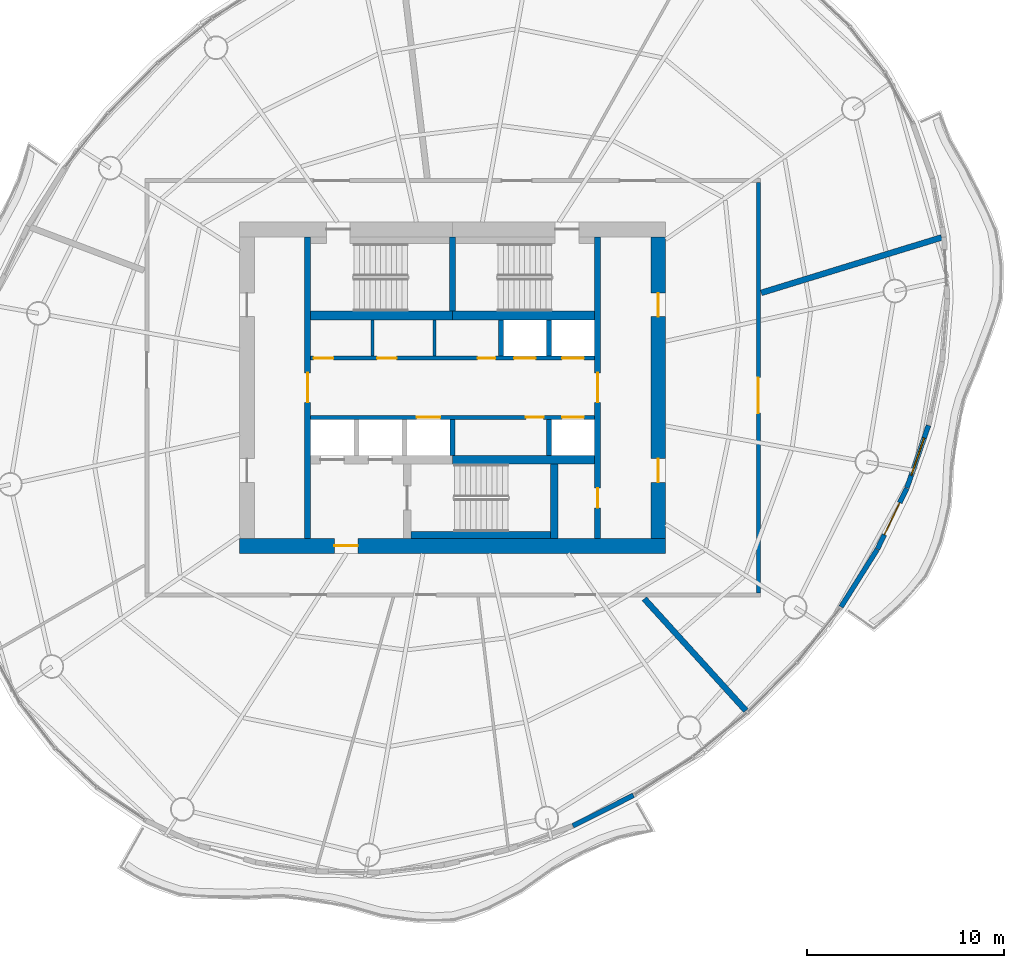
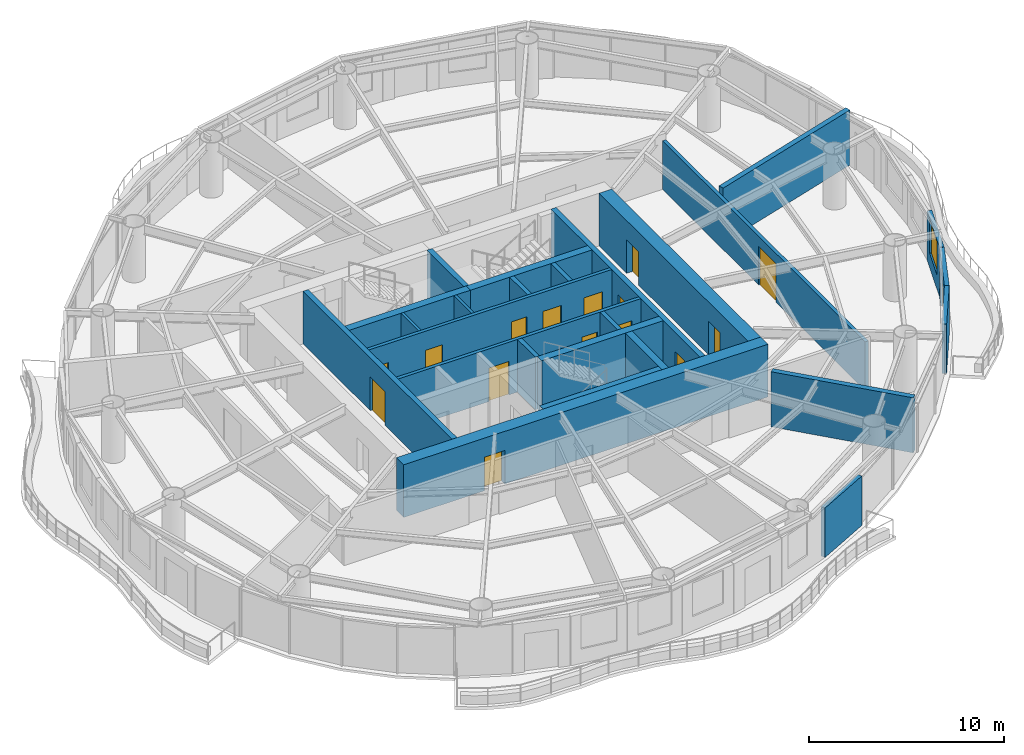
# One storey, part 9 of 14: 25 walls, 16 doors, 1 window, 17 openings.
"""IFC4 building model written with IfcOpenShell, lengths in metres."""

from ifc_helpers import new_model, si_unit, direction, frame, frame_2d, origin, place, context, subcontext, project, spatial, rectangle, extrude, material, layer, layer_set, type_object, element, fill, save


model = new_model("IFC4")

# Units and contexts
model_context = context("Model", 3, precision=1e-05, world=origin(), true_north=direction((0.0, 1.0)))
body_context = subcontext(model_context, "Body", "Model", "MODEL_VIEW")
ifc_project = project(units=[si_unit("LENGTHUNIT", "METRE"), si_unit("AREAUNIT", "SQUARE_METRE"), si_unit("VOLUMEUNIT", "CUBIC_METRE"), si_unit("PLANEANGLEUNIT", "RADIAN"), si_unit("MASSUNIT", "GRAM", prefix="KILO")], contexts=[model_context])

# Site, building, storey
site_placement = place(None, origin())
site = spatial("IfcSite", under=ifc_project, at=site_placement, CompositionType="ELEMENT")
building_placement = place(site_placement, origin())
building = spatial("IfcBuilding", under=site, at=building_placement, Name="Vermilion Reach Broadcast Tower", CompositionType="ELEMENT")
storey_placement = place(building_placement, frame((0.0, 0.0, 202.89990234375)))
storey = spatial("IfcBuildingStorey", under=building, at=storey_placement, Name="L49", CompositionType="ELEMENT", Elevation=202.89990234375)

# Wall, opening, door
ifc_material_1 = material(Name="Concrete C60", Category="concrete")
ifc_layer_1 = layer(ifc_material_1, 0.300048828125)
ifc_layer_set_1 = layer_set([ifc_layer_1], Name="Core inner wall 300 mm Concrete C60")
wall_type_1 = type_object("IfcWallType", Name="Core inner wall 300 mm Concrete C60", PredefinedType="SHEAR", material=ifc_layer_set_1)
wall_1_placement = place(storey_placement, frame((-13.35009765625, 7.64990234375, 0.0), z_axis=(0.0, 0.0, 1.0), x_axis=(0.0, -1.0, 0.0)))
wall_1 = element("IfcWall", 1, at=wall_1_placement, inside=storey, type_object=wall_type_1, Name="L49 core wall ewW", PredefinedType="SHEAR", context=body_context, shape_type="SweptSolid", body=[
    extrude(rectangle(XDim=15.2998046875, YDim=0.300048828125, at=frame_2d((7.64990234375, 0.0))), origin(), (0.0, 0.0, 1.0), 3.300048828125),
])
opening_1_placement = place(wall_1_placement, frame((6.89990234375, 0.0, 0.0)))
opening_1 = element("IfcOpeningElement", 2, at=opening_1_placement, cuts=wall_1, Name="Opening D04", PredefinedType="OPENING", context=body_context, shape_type="SweptSolid", body=[
    extrude(rectangle(XDim=1.5, YDim=2.10009765625, at=frame_2d((0.75, 1.050048828125))), frame((0.0, 0.159912109375, 0.0), z_axis=(0.0, -1.0, 0.0), x_axis=(1.0, 0.0, 0.0)), (0.0, 0.0, 1.0), 0.320068359375),
])
ifc_material_2 = material(Name="Painted steel fire door", Category="steel")
door_type_1 = type_object("IfcDoorType", Name="Lift lobby door 1500 x 2100", OperationType="DOUBLE_DOOR_SINGLE_SWING", PredefinedType="NOTDEFINED", material=ifc_material_2)
door_1_placement = place(opening_1_placement, origin())
door_1 = element("IfcDoor", 3, at=door_1_placement, inside=storey, type_object=door_type_1, Name="L49 band door BW", OperationType="DOUBLE_DOOR_SINGLE_SWING", OverallHeight=2.10009765625, OverallWidth=1.5, PredefinedType="NOTDEFINED", context=body_context, shape_type="SweptSolid", body=[
    extrude(rectangle(XDim=1.5, YDim=2.10009765625, at=frame_2d((0.75, 1.050048828125))), frame((0.0, 0.02490234375, 0.0), z_axis=(0.0, -1.0, 0.0), x_axis=(1.0, 0.0, 0.0)), (0.0, 0.0, 1.0), 0.050048828125),
])
fill(opening_1, door_1)

# Wall, openings, doors
wall_2_placement = place(storey_placement, frame((1.35009765625, -7.64990234375, 0.0), z_axis=(0.0, 0.0, 1.0), x_axis=(0.0, 1.0, 0.0)))
wall_2 = element("IfcWall", 4, at=wall_2_placement, inside=storey, type_object=wall_type_1, Name="L49 core wall ewE", PredefinedType="SHEAR", context=body_context, shape_type="SweptSolid", body=[
    extrude(rectangle(XDim=15.2998046875, YDim=0.300048828125, at=frame_2d((7.64990234375, 0.0))), origin(), (0.0, 0.0, 1.0), 3.300048828125),
])
opening_2_placement = place(wall_2_placement, frame((1.56005859375, 0.0, 0.0)))
opening_2 = element("IfcOpeningElement", 5, at=opening_2_placement, cuts=wall_2, Name="Opening D05", PredefinedType="OPENING", context=body_context, shape_type="SweptSolid", body=[
    extrude(rectangle(XDim=1.0, YDim=2.10009765625, at=frame_2d((0.5, 1.050048828125))), frame((0.0, 0.159912109375, 0.0), z_axis=(0.0, -1.0, 0.0), x_axis=(1.0, 0.0, 0.0)), (0.0, 0.0, 1.0), 0.320068359375),
])
opening_3_placement = place(wall_2_placement, frame((6.89990234375, 0.0, 0.0)))
opening_3 = element("IfcOpeningElement", 6, at=opening_3_placement, cuts=wall_2, Name="Opening D04", PredefinedType="OPENING", context=body_context, shape_type="SweptSolid", body=[
    extrude(rectangle(XDim=1.5, YDim=2.10009765625, at=frame_2d((0.75, 1.050048828125))), frame((0.0, 0.159912109375, 0.0), z_axis=(0.0, -1.0, 0.0), x_axis=(1.0, 0.0, 0.0)), (0.0, 0.0, 1.0), 0.320068359375),
])
door_2_placement = place(opening_3_placement, origin())
door_2 = element("IfcDoor", 7, at=door_2_placement, inside=storey, type_object=door_type_1, Name="L49 band door BE", OperationType="DOUBLE_DOOR_SINGLE_SWING", OverallHeight=2.10009765625, OverallWidth=1.5, PredefinedType="NOTDEFINED", context=body_context, shape_type="SweptSolid", body=[
    extrude(rectangle(XDim=1.5, YDim=2.10009765625, at=frame_2d((0.75, 1.050048828125))), frame((0.0, 0.02490234375, 0.0), z_axis=(0.0, -1.0, 0.0), x_axis=(1.0, 0.0, 0.0)), (0.0, 0.0, 1.0), 0.050048828125),
])
fill(opening_3, door_2)
ifc_material_3 = material(Name="Timber door", Category="wood")
door_type_2 = type_object("IfcDoorType", Name="Room door 1000 x 2100", OperationType="NOTDEFINED", PredefinedType="NOTDEFINED", material=ifc_material_3)
door_3_placement = place(opening_2_placement, origin())
door_3 = element("IfcDoor", 8, at=door_3_placement, inside=storey, type_object=door_type_2, Name="L49 door SER", OperationType="SINGLE_SWING_LEFT", OverallHeight=2.10009765625, OverallWidth=1.0, PredefinedType="NOTDEFINED", context=body_context, shape_type="SweptSolid", body=[
    extrude(rectangle(XDim=1.0, YDim=2.10009765625, at=frame_2d((0.5, 1.050048828125))), frame((0.0, 0.02490234375, 0.0), z_axis=(0.0, -1.0, 0.0), x_axis=(1.0, 0.0, 0.0)), (0.0, 0.0, 1.0), 0.050048828125),
])
fill(opening_2, door_3)

# Walls
wall_3_placement = place(storey_placement, frame((-6.0, 3.8798828125, 0.0), z_axis=(0.0, 0.0, 1.0), x_axis=(0.0, 1.0, 0.0)))
element("IfcWall", 9, at=wall_3_placement, inside=storey, type_object=wall_type_1, Name="L49 core wall wc", PredefinedType="SHEAR", context=body_context, shape_type="SweptSolid", body=[
    extrude(rectangle(XDim=3.77001953125, YDim=0.300048828125, at=frame_2d((1.885009765625, 0.0))), origin(), (0.0, 0.0, 1.0), 3.300048828125),
])
ifc_material_4 = material(Name="Concrete C60", Category="concrete")
ifc_layer_2 = layer(ifc_material_4, 0.39990234375)
ifc_layer_set_2 = layer_set([ifc_layer_2], Name="Core inner wall 400 mm Concrete C60")
wall_type_2 = type_object("IfcWallType", Name="Core inner wall 400 mm Concrete C60", PredefinedType="SHEAR", material=ifc_layer_set_2)
wall_4_placement = place(storey_placement, frame((-0.85009765625, -3.8798828125, 0.0), z_axis=(0.0, 0.0, 1.0), x_axis=(0.0, -1.0, 0.0)))
element("IfcWall", 10, at=wall_4_placement, inside=storey, type_object=wall_type_2, Name="L49 core wall wb", PredefinedType="SHEAR", context=body_context, shape_type="SweptSolid", body=[
    extrude(rectangle(XDim=3.77001953125, YDim=0.39990234375, at=frame_2d((1.885009765625, 0.0))), origin(), (0.0, 0.0, 1.0), 3.300048828125),
])
ifc_material_5 = material(Name="Concrete C60", Category="concrete")
ifc_layer_3 = layer(ifc_material_5, 0.449951171875)
ifc_layer_set_3 = layer_set([ifc_layer_3], Name="Core inner wall 450 mm Concrete C60")
wall_type_3 = type_object("IfcWallType", Name="Core inner wall 450 mm Concrete C60", PredefinedType="SHEAR", material=ifc_layer_set_3)
for number, where, z_axis, x_axis, name in (
    (11, (-13.199951171875, 3.655029296875, 0.0), (0.0, 0.0, 1.0), (1.0, 0.0, 0.0), "L49 core wall winW"),
    (12, (-6.0, 3.655029296875, 0.0), (0.0, 0.0, 1.0), (1.0, 0.0, 0.0), "L49 core wall winE"),
    (13, (-6.0, -3.655029296875, 0.0), (0.0, 0.0, 1.0), (1.0, 0.0, 0.0), "L49 core wall wisE"),
):
    element("IfcWall", number, at=place(storey_placement, frame(where, z_axis=z_axis, x_axis=x_axis)), inside=storey, type_object=wall_type_3, Name=name, PredefinedType="SHEAR", context=body_context, shape_type="SweptSolid", body=[
        extrude(rectangle(XDim=7.199951171875, YDim=0.449951171875, at=frame_2d((3.60009765625, 0.0))), origin(), (0.0, 0.0, 1.0), 3.300048828125),
    ])

# Wall, opening, door
ifc_material_6 = material(Name="Concrete C60", Category="concrete")
ifc_layer_4 = layer(ifc_material_6, 0.75)
ifc_layer_set_4 = layer_set([ifc_layer_4], Name="Core outer wall 750 mm Concrete C60")
wall_type_4 = type_object("IfcWallType", Name="Core outer wall 750 mm Concrete C60", PredefinedType="SHEAR", material=ifc_layer_set_4)
wall_5_placement = place(storey_placement, frame((-16.800048828125, -8.02490234375, 0.0), z_axis=(0.0, 0.0, 1.0), x_axis=(1.0, 0.0, 0.0)))
wall_5 = element("IfcWall", 14, at=wall_5_placement, inside=storey, type_object=wall_type_4, Name="L49 core wall os", PredefinedType="SHEAR", context=body_context, shape_type="SweptSolid", body=[
    extrude(rectangle(XDim=21.60009765625, YDim=0.75, at=frame_2d((10.800048828125, 0.0))), origin(), (0.0, 0.0, 1.0), 3.300048828125),
])
opening_4_placement = place(wall_5_placement, frame((4.800048828125, 0.0, 0.0)))
opening_4 = element("IfcOpeningElement", 15, at=opening_4_placement, cuts=wall_5, Name="Opening D02", PredefinedType="OPENING", context=body_context, shape_type="SweptSolid", body=[
    extrude(rectangle(XDim=1.199951171875, YDim=2.10009765625, at=frame_2d((0.60009765625, 1.050048828125))), frame((0.0, 0.385009765625, 0.0), z_axis=(0.0, -1.0, 0.0), x_axis=(1.0, 0.0, 0.0)), (0.0, 0.0, 1.0), 0.77001953125),
])
ifc_material_7 = material(Name="Painted steel fire door", Category="steel")
door_type_3 = type_object("IfcDoorType", Name="Firefighting lobby door 1200 x 2100", OperationType="DOUBLE_DOOR_SINGLE_SWING", PredefinedType="NOTDEFINED", material=ifc_material_7)
door_4_placement = place(opening_4_placement, origin())
door_4 = element("IfcDoor", 16, at=door_4_placement, inside=storey, type_object=door_type_3, Name="L49 ffdoor door FFL", OperationType="DOUBLE_DOOR_SINGLE_SWING", OverallHeight=2.10009765625, OverallWidth=1.199951171875, PredefinedType="NOTDEFINED", context=body_context, shape_type="SweptSolid", body=[
    extrude(rectangle(XDim=1.199951171875, YDim=2.10009765625, at=frame_2d((0.60009765625, 1.050048828125))), frame((0.0, 0.02490234375, 0.0), z_axis=(0.0, -1.0, 0.0), x_axis=(1.0, 0.0, 0.0)), (0.0, 0.0, 1.0), 0.050048828125),
])
fill(opening_4, door_4)

# Wall, openings, doors
wall_6_placement = place(storey_placement, frame((4.425048828125, -7.64990234375, 0.0), z_axis=(0.0, 0.0, 1.0), x_axis=(0.0, 1.0, 0.0)))
wall_6 = element("IfcWall", 17, at=wall_6_placement, inside=storey, type_object=wall_type_4, Name="L49 core wall oe", PredefinedType="SHEAR", context=body_context, shape_type="SweptSolid", body=[
    extrude(rectangle(XDim=15.2998046875, YDim=0.75, at=frame_2d((7.64990234375, 0.0))), origin(), (0.0, 0.0, 1.0), 3.300048828125),
])
opening_5_placement = place(wall_6_placement, frame((2.85009765625, 0.0, 0.0)))
opening_5 = element("IfcOpeningElement", 18, at=opening_5_placement, cuts=wall_6, Name="Opening D03", PredefinedType="OPENING", context=body_context, shape_type="SweptSolid", body=[
    extrude(rectangle(XDim=1.199951171875, YDim=2.10009765625, at=frame_2d((0.60009765625, 1.050048828125))), frame((0.0, 0.385009765625, 0.0), z_axis=(0.0, -1.0, 0.0), x_axis=(1.0, 0.0, 0.0)), (0.0, 0.0, 1.0), 0.77001953125),
])
opening_6_placement = place(wall_6_placement, frame((11.25, 0.0, 0.0)))
opening_6 = element("IfcOpeningElement", 19, at=opening_6_placement, cuts=wall_6, Name="Opening D03", PredefinedType="OPENING", context=body_context, shape_type="SweptSolid", body=[
    extrude(rectangle(XDim=1.199951171875, YDim=2.10009765625, at=frame_2d((0.60009765625, 1.050048828125))), frame((0.0, 0.385009765625, 0.0), z_axis=(0.0, -1.0, 0.0), x_axis=(1.0, 0.0, 0.0)), (0.0, 0.0, 1.0), 0.77001953125),
])
ifc_material_8 = material(Name="Painted steel fire door", Category="steel")
door_type_4 = type_object("IfcDoorType", Name="Core lobby door 1200 x 2100", OperationType="DOUBLE_DOOR_SINGLE_SWING", PredefinedType="NOTDEFINED", material=ifc_material_8)
door_5_placement = place(opening_5_placement, origin())
door_5 = element("IfcDoor", 20, at=door_5_placement, inside=storey, type_object=door_type_4, Name="L49 slot door E0", OperationType="DOUBLE_DOOR_SINGLE_SWING", OverallHeight=2.10009765625, OverallWidth=1.199951171875, PredefinedType="NOTDEFINED", context=body_context, shape_type="SweptSolid", body=[
    extrude(rectangle(XDim=1.199951171875, YDim=2.10009765625, at=frame_2d((0.60009765625, 1.050048828125))), frame((0.0, 0.02490234375, 0.0), z_axis=(0.0, -1.0, 0.0), x_axis=(1.0, 0.0, 0.0)), (0.0, 0.0, 1.0), 0.050048828125),
])
fill(opening_5, door_5)
door_6_placement = place(opening_6_placement, origin())
door_6 = element("IfcDoor", 21, at=door_6_placement, inside=storey, type_object=door_type_4, Name="L49 slot door E1", OperationType="DOUBLE_DOOR_SINGLE_SWING", OverallHeight=2.10009765625, OverallWidth=1.199951171875, PredefinedType="NOTDEFINED", context=body_context, shape_type="SweptSolid", body=[
    extrude(rectangle(XDim=1.199951171875, YDim=2.10009765625, at=frame_2d((0.60009765625, 1.050048828125))), frame((0.0, 0.02490234375, 0.0), z_axis=(0.0, -1.0, 0.0), x_axis=(1.0, 0.0, 0.0)), (0.0, 0.0, 1.0), 0.050048828125),
])
fill(opening_6, door_6)

# Walls
ifc_material_9 = material(Name="Masonry block", Category="masonry")
ifc_layer_5 = layer(ifc_material_9, 0.14990234375)
ifc_layer_set_5 = layer_set([ifc_layer_5], Name="Core partition wall 150 mm Masonry block")
wall_type_5 = type_object("IfcWallType", Name="Core partition wall 150 mm Masonry block", PredefinedType="PARTITIONING", material=ifc_layer_set_5)
for number, where, z_axis, x_axis, name in (
    (22, (-10.0595703125, 1.60009765625, 0.0), (0.0, 0.0, 1.0), (0.0, 1.0, 0.0), "L49 core wall prN-4060"),
    (23, (-6.9189453125, 1.60009765625, 0.0), (0.0, 0.0, 1.0), (0.0, 1.0, 0.0), "L49 core wall prN-919"),
):
    element("IfcWall", number, at=place(storey_placement, frame(where, z_axis=z_axis, x_axis=x_axis)), inside=storey, type_object=wall_type_5, Name=name, PredefinedType="PARTITIONING", context=body_context, shape_type="SweptSolid", body=[
        extrude(rectangle(XDim=1.829833984375, YDim=0.14990234375, at=frame_2d((0.9150390625, 0.0))), origin(), (0.0, 0.0, 1.0), 3.300048828125),
    ])

# Wall, openings, doors
ifc_material_10 = material(Name="Concrete C50", Category="concrete")
ifc_layer_6 = layer(ifc_material_10, 0.199951171875)
ifc_layer_set_6 = layer_set([ifc_layer_6], Name="Core shaft wall 200 mm Concrete C50")
wall_type_6 = type_object("IfcWallType", Name="Core shaft wall 200 mm Concrete C50", PredefinedType="SHEAR", material=ifc_layer_set_6)
wall_7_placement = place(storey_placement, frame((-13.199951171875, 1.5, 0.0), z_axis=(0.0, 0.0, 1.0), x_axis=(1.0, 0.0, 0.0)))
wall_7 = element("IfcWall", 24, at=wall_7_placement, inside=storey, type_object=wall_type_6, Name="L49 core wall fn", PredefinedType="SHEAR", context=body_context, shape_type="SweptSolid", body=[
    extrude(rectangle(XDim=14.39990234375, YDim=0.199951171875, at=frame_2d((7.199951171875, 0.0))), origin(), (0.0, 0.0, 1.0), 3.300048828125),
])
opening_7_placement = place(wall_7_placement, frame((10.3125, 0.0, 0.0)))
opening_7 = element("IfcOpeningElement", 25, at=opening_7_placement, cuts=wall_7, Name="Opening LD2", PredefinedType="OPENING", context=body_context, shape_type="SweptSolid", body=[
    extrude(rectangle(XDim=1.10009765625, YDim=2.10009765625, at=frame_2d((0.550048828125, 1.050048828125))), frame((0.0, 0.10986328125, 0.0), z_axis=(0.0, -1.0, 0.0), x_axis=(1.0, 0.0, 0.0)), (0.0, 0.0, 1.0), 0.219970703125),
])
opening_8_placement = place(wall_7_placement, frame((12.754150390625, 0.0, 0.0)))
opening_8 = element("IfcOpeningElement", 26, at=opening_8_placement, cuts=wall_7, Name="Opening LD2", PredefinedType="OPENING", context=body_context, shape_type="SweptSolid", body=[
    extrude(rectangle(XDim=1.10009765625, YDim=2.10009765625, at=frame_2d((0.550048828125, 1.050048828125))), frame((0.0, 0.10986328125, 0.0), z_axis=(0.0, -1.0, 0.0), x_axis=(1.0, 0.0, 0.0)), (0.0, 0.0, 1.0), 0.219970703125),
])
opening_9_placement = place(wall_7_placement, frame((0.14990234375, 0.0, 0.0)))
opening_9 = element("IfcOpeningElement", 27, at=opening_9_placement, cuts=wall_7, Name="Opening D07", PredefinedType="OPENING", context=body_context, shape_type="SweptSolid", body=[
    extrude(rectangle(XDim=1.0, YDim=2.10009765625, at=frame_2d((0.5, 1.050048828125))), frame((0.0, 0.10986328125, 0.0), z_axis=(0.0, -1.0, 0.0), x_axis=(1.0, 0.0, 0.0)), (0.0, 0.0, 1.0), 0.219970703125),
])
opening_10_placement = place(wall_7_placement, frame((3.365478515625, 0.0, 0.0)))
opening_10 = element("IfcOpeningElement", 28, at=opening_10_placement, cuts=wall_7, Name="Opening D10", PredefinedType="OPENING", context=body_context, shape_type="SweptSolid", body=[
    extrude(rectangle(XDim=1.0, YDim=2.10009765625, at=frame_2d((0.5, 1.050048828125))), frame((0.0, 0.10986328125, 0.0), z_axis=(0.0, -1.0, 0.0), x_axis=(1.0, 0.0, 0.0)), (0.0, 0.0, 1.0), 0.219970703125),
])
opening_11_placement = place(wall_7_placement, frame((8.466552734375, 0.0, 0.0)))
opening_11 = element("IfcOpeningElement", 29, at=opening_11_placement, cuts=wall_7, Name="Opening D06", PredefinedType="OPENING", context=body_context, shape_type="SweptSolid", body=[
    extrude(rectangle(XDim=0.89990234375, YDim=2.10009765625, at=frame_2d((0.449951171875, 1.050048828125))), frame((0.0, 0.10986328125, 0.0), z_axis=(0.0, -1.0, 0.0), x_axis=(1.0, 0.0, 0.0)), (0.0, 0.0, 1.0), 0.219970703125),
])
ifc_material_11 = material(Name="Timber door", Category="wood")
door_type_5 = type_object("IfcDoorType", Name="Accessible WC door 1000 x 2100", OperationType="NOTDEFINED", PredefinedType="NOTDEFINED", material=ifc_material_11)
door_7_placement = place(opening_9_placement, origin())
door_7 = element("IfcDoor", 30, at=door_7_placement, inside=storey, type_object=door_type_5, Name="L49 door Accessible WC", OperationType="SINGLE_SWING_LEFT", OverallHeight=2.10009765625, OverallWidth=1.0, PredefinedType="NOTDEFINED", context=body_context, shape_type="SweptSolid", body=[
    extrude(rectangle(XDim=1.0, YDim=2.10009765625, at=frame_2d((0.5, 1.050048828125))), frame((0.0, 0.02490234375, 0.0), z_axis=(0.0, -1.0, 0.0), x_axis=(1.0, 0.0, 0.0)), (0.0, 0.0, 1.0), 0.050048828125),
])
fill(opening_9, door_7)
ifc_material_12 = material(Name="Stainless steel", Category="steel")
door_type_6 = type_object("IfcDoorType", Name="Landing door 1100 x 2100", OperationType="DOUBLE_DOOR_SLIDING", PredefinedType="NOTDEFINED", material=ifc_material_12)
door_8_placement = place(opening_7_placement, origin())
door_8 = element("IfcDoor", 31, at=door_8_placement, inside=storey, type_object=door_type_6, Name="L49 landing door HR1", OperationType="DOUBLE_DOOR_SLIDING", OverallHeight=2.10009765625, OverallWidth=1.10009765625, PredefinedType="NOTDEFINED", context=body_context, shape_type="SweptSolid", body=[
    extrude(rectangle(XDim=1.10009765625, YDim=2.10009765625, at=frame_2d((0.550048828125, 1.050048828125))), frame((0.0, 0.02490234375, 0.0), z_axis=(0.0, -1.0, 0.0), x_axis=(1.0, 0.0, 0.0)), (0.0, 0.0, 1.0), 0.050048828125),
])
fill(opening_7, door_8)
door_9_placement = place(opening_8_placement, origin())
door_9 = element("IfcDoor", 32, at=door_9_placement, inside=storey, type_object=door_type_6, Name="L49 landing door HR2", OperationType="DOUBLE_DOOR_SLIDING", OverallHeight=2.10009765625, OverallWidth=1.10009765625, PredefinedType="NOTDEFINED", context=body_context, shape_type="SweptSolid", body=[
    extrude(rectangle(XDim=1.10009765625, YDim=2.10009765625, at=frame_2d((0.550048828125, 1.050048828125))), frame((0.0, 0.02490234375, 0.0), z_axis=(0.0, -1.0, 0.0), x_axis=(1.0, 0.0, 0.0)), (0.0, 0.0, 1.0), 0.050048828125),
])
fill(opening_8, door_9)
ifc_material_13 = material(Name="Timber door", Category="wood")
door_type_7 = type_object("IfcDoorType", Name="WC door 900 x 2100", OperationType="NOTDEFINED", PredefinedType="NOTDEFINED", material=ifc_material_13)
door_10_placement = place(opening_11_placement, origin())
door_10 = element("IfcDoor", 33, at=door_10_placement, inside=storey, type_object=door_type_7, Name="L49 door Male WC", OperationType="SINGLE_SWING_RIGHT", OverallHeight=2.10009765625, OverallWidth=0.89990234375, PredefinedType="NOTDEFINED", context=body_context, shape_type="SweptSolid", body=[
    extrude(rectangle(XDim=0.89990234375, YDim=2.10009765625, at=frame_2d((0.449951171875, 1.050048828125))), frame((0.0, 0.02490234375, 0.0), z_axis=(0.0, -1.0, 0.0), x_axis=(1.0, 0.0, 0.0)), (0.0, 0.0, 1.0), 0.050048828125),
])
fill(opening_11, door_10)
ifc_material_14 = material(Name="Timber door", Category="wood")
door_type_8 = type_object("IfcDoorType", Name="WC lobby door 1000 x 2100", OperationType="NOTDEFINED", PredefinedType="NOTDEFINED", material=ifc_material_14)
door_11_placement = place(opening_10_placement, origin())
door_11 = element("IfcDoor", 34, at=door_11_placement, inside=storey, type_object=door_type_8, Name="L49 door WC lobby", OperationType="SINGLE_SWING_LEFT", OverallHeight=2.10009765625, OverallWidth=1.0, PredefinedType="NOTDEFINED", context=body_context, shape_type="SweptSolid", body=[
    extrude(rectangle(XDim=1.0, YDim=2.10009765625, at=frame_2d((0.5, 1.050048828125))), frame((0.0, 0.02490234375, 0.0), z_axis=(0.0, -1.0, 0.0), x_axis=(1.0, 0.0, 0.0)), (0.0, 0.0, 1.0), 0.050048828125),
])
fill(opening_10, door_11)

wall_8_placement = place(storey_placement, frame((1.199951171875, -1.5, 0.0), z_axis=(0.0, 0.0, 1.0), x_axis=(-1.0, 0.0, 0.0)))
wall_8 = element("IfcWall", 35, at=wall_8_placement, inside=storey, type_object=wall_type_6, Name="L49 core wall fs", PredefinedType="SHEAR", context=body_context, shape_type="SweptSolid", body=[
    extrude(rectangle(XDim=14.39990234375, YDim=0.199951171875, at=frame_2d((7.199951171875, 0.0))), origin(), (0.0, 0.0, 1.0), 3.300048828125),
])
opening_12_placement = place(wall_8_placement, frame((7.82080078125, 0.0, 0.0)))
opening_12 = element("IfcOpeningElement", 36, at=opening_12_placement, cuts=wall_8, Name="Opening LD1", PredefinedType="OPENING", context=body_context, shape_type="SweptSolid", body=[
    extrude(rectangle(XDim=1.199951171875, YDim=2.10009765625, at=frame_2d((0.60009765625, 1.050048828125))), frame((0.0, 0.10986328125, 0.0), z_axis=(0.0, -1.0, 0.0), x_axis=(1.0, 0.0, 0.0)), (0.0, 0.0, 1.0), 0.219970703125),
])
opening_13_placement = place(wall_8_placement, frame((0.5458984375, 0.0, 0.0)))
opening_13 = element("IfcOpeningElement", 37, at=opening_13_placement, cuts=wall_8, Name="Opening LD2", PredefinedType="OPENING", context=body_context, shape_type="SweptSolid", body=[
    extrude(rectangle(XDim=1.10009765625, YDim=2.10009765625, at=frame_2d((0.550048828125, 1.050048828125))), frame((0.0, 0.10986328125, 0.0), z_axis=(0.0, -1.0, 0.0), x_axis=(1.0, 0.0, 0.0)), (0.0, 0.0, 1.0), 0.219970703125),
])
opening_14_placement = place(wall_8_placement, frame((2.591552734375, 0.0, 0.0)))
opening_14 = element("IfcOpeningElement", 38, at=opening_14_placement, cuts=wall_8, Name="Opening D06", PredefinedType="OPENING", context=body_context, shape_type="SweptSolid", body=[
    extrude(rectangle(XDim=0.89990234375, YDim=2.10009765625, at=frame_2d((0.449951171875, 1.050048828125))), frame((0.0, 0.10986328125, 0.0), z_axis=(0.0, -1.0, 0.0), x_axis=(1.0, 0.0, 0.0)), (0.0, 0.0, 1.0), 0.219970703125),
])
door_12_placement = place(opening_13_placement, origin())
door_12 = element("IfcDoor", 39, at=door_12_placement, inside=storey, type_object=door_type_6, Name="L49 landing door HR3", OperationType="DOUBLE_DOOR_SLIDING", OverallHeight=2.10009765625, OverallWidth=1.10009765625, PredefinedType="NOTDEFINED", context=body_context, shape_type="SweptSolid", body=[
    extrude(rectangle(XDim=1.10009765625, YDim=2.10009765625, at=frame_2d((0.550048828125, 1.050048828125))), frame((0.0, 0.02490234375, 0.0), z_axis=(0.0, -1.0, 0.0), x_axis=(1.0, 0.0, 0.0)), (0.0, 0.0, 1.0), 0.050048828125),
])
fill(opening_13, door_12)
ifc_material_15 = material(Name="Stainless steel", Category="steel")
door_type_9 = type_object("IfcDoorType", Name="Landing door 1200 x 2100", OperationType="DOUBLE_DOOR_SLIDING", PredefinedType="NOTDEFINED", material=ifc_material_15)
door_13_placement = place(opening_12_placement, origin())
door_13 = element("IfcDoor", 40, at=door_13_placement, inside=storey, type_object=door_type_9, Name="L49 landing door SV1", OperationType="DOUBLE_DOOR_SLIDING", OverallHeight=2.10009765625, OverallWidth=1.199951171875, PredefinedType="NOTDEFINED", context=body_context, shape_type="SweptSolid", body=[
    extrude(rectangle(XDim=1.199951171875, YDim=2.10009765625, at=frame_2d((0.60009765625, 1.050048828125))), frame((0.0, 0.02490234375, 0.0), z_axis=(0.0, -1.0, 0.0), x_axis=(1.0, 0.0, 0.0)), (0.0, 0.0, 1.0), 0.050048828125),
])
fill(opening_12, door_13)
door_14_placement = place(opening_14_placement, origin())
door_14 = element("IfcDoor", 41, at=door_14_placement, inside=storey, type_object=door_type_7, Name="L49 door Female WC", OperationType="SINGLE_SWING_LEFT", OverallHeight=2.10009765625, OverallWidth=0.89990234375, PredefinedType="NOTDEFINED", context=body_context, shape_type="SweptSolid", body=[
    extrude(rectangle(XDim=0.89990234375, YDim=2.10009765625, at=frame_2d((0.449951171875, 1.050048828125))), frame((0.0, 0.02490234375, 0.0), z_axis=(0.0, -1.0, 0.0), x_axis=(1.0, 0.0, 0.0)), (0.0, 0.0, 1.0), 0.050048828125),
])
fill(opening_14, door_14)

# Walls
ifc_material_16 = material(Name="Concrete C50", Category="concrete")
ifc_layer_7 = layer(ifc_material_16, 0.25)
ifc_layer_set_7 = layer_set([ifc_layer_7], Name="Core shaft wall 250 mm Concrete C50")
wall_type_7 = type_object("IfcWallType", Name="Core shaft wall 250 mm Concrete C50", PredefinedType="SHEAR", material=ifc_layer_set_7)
for number, where, z_axis, x_axis, name in (
    (42, (-3.558349609375, 1.60009765625, 0.0), (0.0, 0.0, 1.0), (0.0, 1.0, 0.0), "L49 core wall psN3"),
    (43, (-1.11669921875, 1.60009765625, 0.0), (0.0, 0.0, 1.0), (0.0, 1.0, 0.0), "L49 core wall psN4"),
    (44, (-6.0, -1.60009765625, 0.0), (0.0, 0.0, 1.0), (0.0, -1.0, 0.0), "L49 core wall psS2"),
    (45, (-1.11669921875, -1.60009765625, 0.0), (0.0, 0.0, 1.0), (0.0, -1.0, 0.0), "L49 core wall psS4"),
):
    element("IfcWall", number, at=place(storey_placement, frame(where, z_axis=z_axis, x_axis=x_axis)), inside=storey, type_object=wall_type_7, Name=name, PredefinedType="SHEAR", context=body_context, shape_type="SweptSolid", body=[
        extrude(rectangle(XDim=1.829833984375, YDim=0.25, at=frame_2d((0.9150390625, 0.0))), origin(), (0.0, 0.0, 1.0), 3.300048828125),
    ])
ifc_material_17 = material(Name="Concrete C60", Category="concrete")
ifc_layer_8 = layer(ifc_material_17, 0.35009765625)
ifc_layer_set_8 = layer_set([ifc_layer_8], Name="Core stair wall 350 mm Concrete C60")
wall_type_8 = type_object("IfcWallType", Name="Core stair wall 350 mm Concrete C60", PredefinedType="SHEAR", material=ifc_layer_set_8)
wall_9_placement = place(storey_placement, frame((-8.10009765625, -7.47509765625, 0.0), z_axis=(0.0, 0.0, 1.0), x_axis=(1.0, 0.0, 0.0)))
element("IfcWall", 46, at=wall_9_placement, inside=storey, type_object=wall_type_8, Name="L49 core wall l3", PredefinedType="SHEAR", context=body_context, shape_type="SweptSolid", body=[
    extrude(rectangle(XDim=7.050048828125, YDim=0.35009765625, at=frame_2d((3.52490234375, 0.0))), origin(), (0.0, 0.0, 1.0), 3.300048828125),
])
ifc_material_18 = material(Name="Double-leaf plasterboard on isolated steel stud", Category="steel")
ifc_layer_9 = layer(ifc_material_18, 0.300048828125)
ifc_layer_set_9 = layer_set([ifc_layer_9], Name="Partition 300 acoustic double leaf")
wall_type_9 = type_object("IfcWallType", Name="Partition 300 acoustic double leaf", PredefinedType="PARTITIONING", material=ifc_layer_set_9)
wall_10_placement = place(storey_placement, frame((8.865478515625, -16.371337890625, 0.0), z_axis=(0.0, 0.0, 1.0), x_axis=(-0.672244315529, 0.740329372806, 0.0)))
element("IfcWall", 47, at=wall_10_placement, inside=storey, type_object=wall_type_9, Name="Partition 49.07", PredefinedType="PARTITIONING", context=body_context, shape_type="SweptSolid", body=[
    extrude(rectangle(XDim=7.659423828125, YDim=0.300048828125, at=frame_2d((3.82958984375, 0.0))), origin(), (0.0, 0.0, 1.0), 3.4501953125),
])
wall_11_placement = place(storey_placement, frame((18.788330078125, 7.6171875, 0.0), z_axis=(0.0, 0.0, 1.0), x_axis=(-0.955883790435, -0.293745092188, 0.0)))
element("IfcWall", 48, at=wall_11_placement, inside=storey, type_object=wall_type_9, Name="Partition 49.08", PredefinedType="PARTITIONING", context=body_context, shape_type="SweptSolid", body=[
    extrude(rectangle(XDim=9.56640625, YDim=0.300048828125, at=frame_2d((4.783203125, 0.0))), origin(), (0.0, 0.0, 1.0), 3.4501953125),
])
ifc_material_19 = material(Name="Terracotta rainscreen cladding", Category="masonry")
ifc_layer_10 = layer(ifc_material_19, 0.25)
ifc_layer_set_10 = layer_set([ifc_layer_10], Name="Terracotta rainscreen wall 250")
wall_type_10 = type_object("IfcWallType", Name="Terracotta rainscreen wall 250", PredefinedType="SOLIDWALL", material=ifc_layer_set_10)
for number, where, z_axis, x_axis, name in (
    (49, (0.095703125, -22.21142578125, 0.0), (0.0, 0.0, 1.0), (0.893416208643, 0.449229872264, 0.0), "External wall L49 33"),
    (50, (13.68994140625, -11.11181640625, 0.0), (0.0, 0.0, 1.0), (0.53307325399, 0.846069090489, 0.0), "External wall L49 38"),
):
    element("IfcWall", number, at=place(storey_placement, frame(where, z_axis=z_axis, x_axis=x_axis)), inside=storey, type_object=wall_type_10, Name=name, PredefinedType="SOLIDWALL", context=body_context, shape_type="SweptSolid", body=[
        extrude(rectangle(XDim=3.436767578125, YDim=0.25, at=frame_2d((1.71826171875, 0.0))), origin(), (0.0, 0.0, 1.0), 3.10009765625),
    ])

# Wall, opening, door
wall_12_placement = place(storey_placement, frame((15.53271484375, -8.184814453125, 0.0), z_axis=(0.0, 0.0, 1.0), x_axis=(0.434561601859, 0.900642112156, 0.0)))
wall_12 = element("IfcWall", 51, at=wall_12_placement, inside=storey, type_object=wall_type_10, Name="External wall L49 39", PredefinedType="SOLIDWALL", context=body_context, shape_type="SweptSolid", body=[
    extrude(rectangle(XDim=3.423583984375, YDim=0.25, at=frame_2d((1.7119140625, 0.0))), origin(), (0.0, 0.0, 1.0), 3.10009765625),
])
opening_15_placement = place(wall_12_placement, frame((0.81201171875, 0.0, 0.0)))
opening_15 = element("IfcOpeningElement", 52, at=opening_15_placement, cuts=wall_12, Name="Opening D70", PredefinedType="OPENING", context=body_context, shape_type="SweptSolid", body=[
    extrude(rectangle(XDim=1.800048828125, YDim=2.39990234375, at=frame_2d((0.89990234375, 1.199951171875))), frame((0.0, 0.135009765625, 0.0), z_axis=(0.0, -1.0, 0.0), x_axis=(1.0, 0.0, 0.0)), (0.0, 0.0, 1.0), 0.27001953125),
])
ifc_material_20 = material(Name="Low-e laminated clear glass in aluminium frame", Category="aluminium")
door_type_10 = type_object("IfcDoorType", Name="Balcony sliding door 1800 x 2400", OperationType="DOUBLE_DOOR_SLIDING", PredefinedType="DOOR", material=ifc_material_20)
door_15_placement = place(opening_15_placement, origin())
door_15 = element("IfcDoor", 53, at=door_15_placement, inside=storey, type_object=door_type_10, Name="Balcony door L49 run 10", OperationType="DOUBLE_DOOR_SLIDING", OverallHeight=2.39990234375, OverallWidth=1.800048828125, PredefinedType="DOOR", context=body_context, shape_type="SweptSolid", body=[
    extrude(rectangle(XDim=1.800048828125, YDim=2.39990234375, at=frame_2d((0.89990234375, 1.199951171875))), frame((0.0, 0.02490234375, 0.0), z_axis=(0.0, -1.0, 0.0), x_axis=(1.0, 0.0, 0.0)), (0.0, 0.0, 1.0), 0.050048828125),
])
fill(opening_15, door_15)

# Wall, opening, window
wall_13_placement = place(storey_placement, frame((17.029052734375, -5.08056640625, 0.0), z_axis=(0.0, 0.0, 1.0), x_axis=(0.326545099428, 0.945181621721, 0.0)))
wall_13 = element("IfcWall", 54, at=wall_13_placement, inside=storey, type_object=wall_type_10, Name="External wall L49 40", PredefinedType="SOLIDWALL", context=body_context, shape_type="SweptSolid", body=[
    extrude(rectangle(XDim=3.351806640625, YDim=0.25, at=frame_2d((1.67578125, 0.0))), origin(), (0.0, 0.0, 1.0), 3.10009765625),
])
opening_16_placement = place(wall_13_placement, frame((0.67578125, 0.0, 0.89990234375)))
opening_16 = element("IfcOpeningElement", 55, at=opening_16_placement, cuts=wall_13, Name="Opening W03", PredefinedType="OPENING", context=body_context, shape_type="SweptSolid", body=[
    extrude(rectangle(XDim=2.0, YDim=2.10009765625, at=frame_2d((1.0, 1.050048828125))), frame((0.0, 0.135009765625, 0.0), z_axis=(0.0, -1.0, 0.0), x_axis=(1.0, 0.0, 0.0)), (0.0, 0.0, 1.0), 0.27001953125),
])
ifc_material_21 = material(Name="Low-e laminated clear glass in aluminium frame", Category="aluminium")
window_type = type_object("IfcWindowType", Name="Punched window 2000 x 2100 sill 900", PartitioningType="SINGLE_PANEL", PredefinedType="WINDOW", material=ifc_material_21)
window_placement = place(opening_16_placement, origin())
window = element("IfcWindow", 56, at=window_placement, inside=storey, type_object=window_type, Name="Window L49 40", OverallHeight=2.10009765625, OverallWidth=2.0, PartitioningType="SINGLE_PANEL", PredefinedType="WINDOW", context=body_context, shape_type="SweptSolid", body=[
    extrude(rectangle(XDim=2.0, YDim=2.10009765625, at=frame_2d((1.0, 1.050048828125))), frame((0.0, 0.030029296875, 0.0), z_axis=(0.0, -1.0, 0.0), x_axis=(1.0, 0.0, 0.0)), (0.0, 0.0, 1.0), 0.06005859375),
])
fill(opening_16, window)

# Wall, opening, door
ifc_material_22 = material(Name="Fire-rated gypsum board partition")
ifc_layer_11 = layer(ifc_material_22, 0.199951171875)
ifc_layer_set_11 = layer_set([ifc_layer_11], Name="Under girder: Corridor wall 200 fire-rated")
wall_type_11 = type_object("IfcWallType", Name="Under girder: Corridor wall 200 fire-rated", PredefinedType="PARTITIONING", material=ifc_layer_set_11)
wall_14_placement = place(storey_placement, frame((9.5, 10.39990234375, 0.0), z_axis=(0.0, 0.0, 1.0), x_axis=(0.0, -1.0, 0.0)))
wall_14 = element("IfcWall", 57, at=wall_14_placement, inside=storey, type_object=wall_type_11, Name="Corridor wall 49.E", PredefinedType="PARTITIONING", context=body_context, shape_type="SweptSolid", body=[
    extrude(rectangle(XDim=20.7998046875, YDim=0.199951171875, at=frame_2d((10.39990234375, 0.0))), origin(), (0.0, 0.0, 1.0), 3.050048828125),
])
opening_17_placement = place(wall_14_placement, frame((9.884521484375, 0.0, 0.0)))
opening_17 = element("IfcOpeningElement", 58, at=opening_17_placement, cuts=wall_14, Name="Opening D27", PredefinedType="OPENING", context=body_context, shape_type="SweptSolid", body=[
    extrude(rectangle(XDim=1.800048828125, YDim=2.39990234375, at=frame_2d((0.89990234375, 1.199951171875))), frame((0.0, 0.10986328125, 0.0), z_axis=(0.0, -1.0, 0.0), x_axis=(1.0, 0.0, 0.0)), (0.0, 0.0, 1.0), 0.219970703125),
])
ifc_material_23 = material(Name="Acoustic timber door leaf", Category="wood")
door_type_11 = type_object("IfcDoorType", Name="Door pair 1800x2400", OperationType="NOTDEFINED", PredefinedType="DOOR", material=ifc_material_23)
door_16_placement = place(opening_17_placement, origin())
door_16 = element("IfcDoor", 59, at=door_16_placement, inside=storey, type_object=door_type_11, Name="Door 49.07", OperationType="DOUBLE_DOOR_SINGLE_SWING", OverallHeight=2.39990234375, OverallWidth=1.800048828125, PredefinedType="DOOR", context=body_context, shape_type="SweptSolid", body=[
    extrude(rectangle(XDim=1.800048828125, YDim=2.39990234375, at=frame_2d((0.89990234375, 1.199951171875))), frame((0.0, 0.02490234375, 0.0), z_axis=(0.0, -1.0, 0.0), x_axis=(1.0, 0.0, 0.0)), (0.0, 0.0, 1.0), 0.050048828125),
])
fill(opening_17, door_16)

save(model, "model.ifc")
